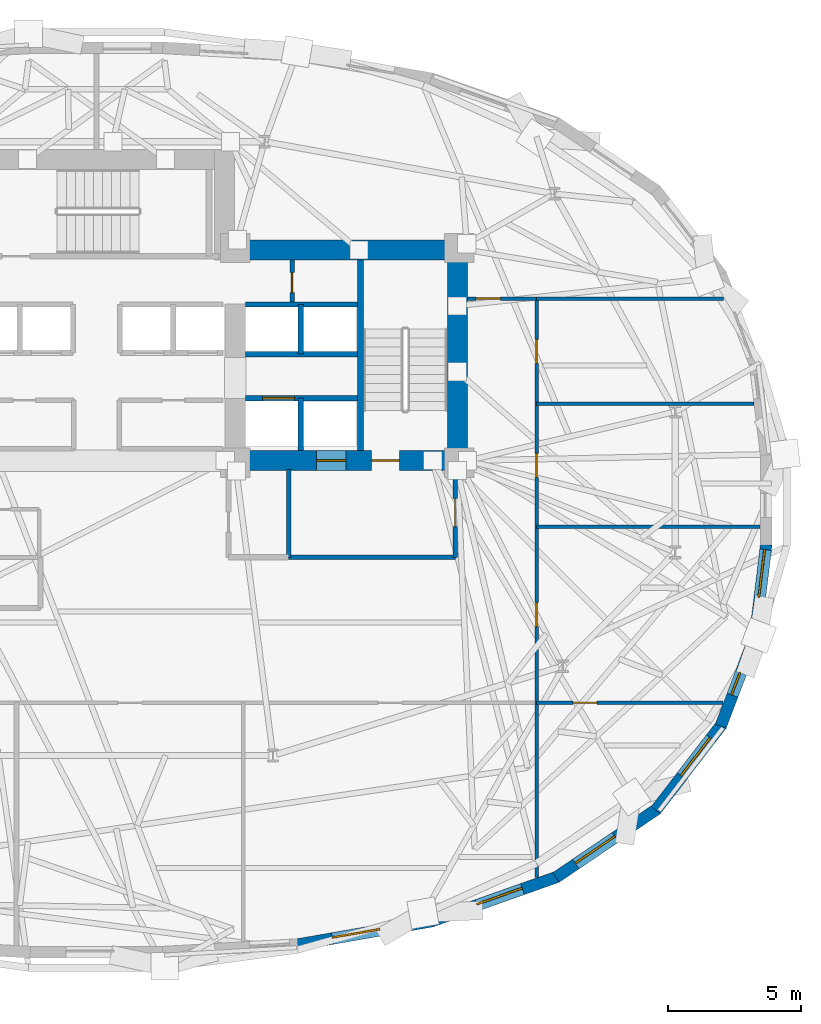
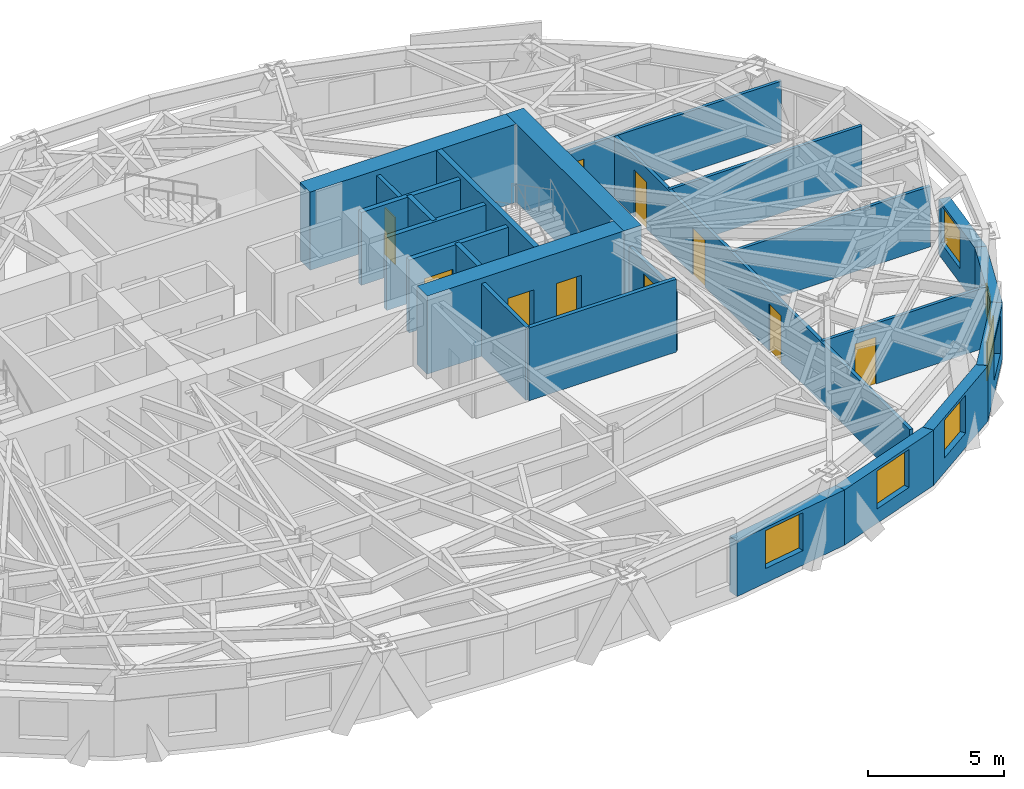
# One storey, part 8 of 13: 25 walls, 10 doors, 6 windows, 16 openings.
"""IFC4 building model written with IfcOpenShell, lengths in metres."""

import ifcopenshell
import ifcopenshell.guid

model = None  # the IFC model being written
_history = None  # IfcOwnerHistory: only IFC2X3 demands one
_inside = {}  # id of a spatial element -> (the spatial element, [elements in it])
_under = {}  # id of a project, library or spatial element -> (it, [spatial elements below it])
_declared = {}  # id of a project -> (the project, [libraries it declares])
_typed = {}  # id of a type object -> (the type object, [elements of that type])
_made_of = {}  # id of a material, layer set ... -> (it, [elements and type objects made of it])


def new_model(schema):
    """Start an empty IFC model of exactly this schema.

    Asked for "IFC4X3", IfcOpenShell would pick the latest addendum, in which some entities
    have other attributes; the version numbers below select the first issue.
    IFC2X3 requires an IfcOwnerHistory on every rooted entity: one is made here for all.
    """
    global model, _history
    if schema == "IFC4X3":
        model = ifcopenshell.file(schema_version=(4, 3, 0, 0))
    else:
        model = ifcopenshell.file(schema=schema)
    _inside.clear()
    _under.clear()
    _declared.clear()
    _typed.clear()
    _made_of.clear()
    _history = None
    if model.schema == "IFC2X3":
        org = make("IfcOrganization", Name="unknown")
        user = make(
            "IfcPersonAndOrganization",
            ThePerson=make("IfcPerson", FamilyName="unknown"),
            TheOrganization=org,
        )
        app = make(
            "IfcApplication",
            ApplicationDeveloper=org,
            Version="unknown",
            ApplicationFullName="unknown",
            ApplicationIdentifier="unknown",
        )
        _history = make(
            "IfcOwnerHistory",
            OwningUser=user,
            OwningApplication=app,
            ChangeAction="ADDED",
            CreationDate=0,
        )
    return model


def make(cls, **values):
    """One entity of the class cls with the attributes given. An attribute that is None is left unset."""
    return model.create_entity(
        cls, **{name: value for name, value in values.items() if value is not None}
    )


def rooted(cls, **values):
    """An entity with a GlobalId (a new one), such as an element, a storey or a relation."""
    return make(cls, GlobalId=ifcopenshell.guid.new(), OwnerHistory=_history, **values)


def si_unit(unit_type, name, prefix=None):
    """IfcSIUnit, for example si_unit("LENGTHUNIT", "METRE", prefix="MILLI")."""
    return make("IfcSIUnit", UnitType=unit_type, Prefix=prefix, Name=name)


def assignment(units):
    """IfcUnitAssignment: the units of a project."""
    return None if units is None else make("IfcUnitAssignment", Units=units)


def point(xyz):
    """IfcCartesianPoint."""
    return None if xyz is None else make("IfcCartesianPoint", Coordinates=xyz)


def direction(xyz):
    """IfcDirection."""
    return None if xyz is None else make("IfcDirection", DirectionRatios=xyz)


def frame(location, z_axis=None, x_axis=None):
    """IfcAxis2Placement3D, a coordinate frame: its origin and axes. An axis left out is left unset."""
    return make(
        "IfcAxis2Placement3D",
        Location=point(location),
        Axis=direction(z_axis),
        RefDirection=direction(x_axis),
    )


def frame_2d(location, x_axis=None):
    """IfcAxis2Placement2D, a coordinate frame in the plane: its origin and x axis."""
    return make(
        "IfcAxis2Placement2D", Location=point(location), RefDirection=direction(x_axis)
    )


def origin():
    """The frame at (0, 0, 0) with its axes left unset."""
    return frame((0.0, 0.0, 0.0))


def place(relative_to, where):
    """IfcLocalPlacement: puts the frame where relative to a parent placement (None: the world)."""
    return make(
        "IfcLocalPlacement", PlacementRelTo=relative_to, RelativePlacement=where
    )


def context(
    kind, dimensions, precision=None, world=None, true_north=None, identifier=None
):
    """IfcGeometricRepresentationContext, for example the 3D "Model" context."""
    return make(
        "IfcGeometricRepresentationContext",
        ContextIdentifier=identifier,
        ContextType=kind,
        CoordinateSpaceDimension=dimensions,
        Precision=precision,
        WorldCoordinateSystem=world,
        TrueNorth=true_north,
    )


def subcontext(parent, identifier, kind, view, scale=None):
    """IfcGeometricRepresentationSubContext, for example "Body" below "Model"."""
    return make(
        "IfcGeometricRepresentationSubContext",
        ContextIdentifier=identifier,
        ContextType=kind,
        ParentContext=parent,
        TargetScale=scale,
        TargetView=view,
    )


def project(units=None, contexts=None):
    """IfcProject with its units and contexts."""
    return rooted(
        "IfcProject",
        Name="project",
        RepresentationContexts=contexts,
        UnitsInContext=assignment(units),
    )


def spatial(cls, under=None, at=None, **own):
    """A site, building, storey or space (cls), placed at a placement, below another one or the project."""
    s = rooted(cls, ObjectPlacement=at, **own)
    if under is not None:
        _under.setdefault(under.id(), (under, []))[1].append(s)
    return s


def profile(cls, at=None, kind="AREA", **sizes):
    """A parametric profile (cls). Its sizes go by their IFC names, for example OverallWidth=200.0."""
    return make(cls, ProfileType=kind, Position=at, **sizes)


def rectangle(**sizes):
    """IfcRectangleProfileDef."""
    return profile("IfcRectangleProfileDef", **sizes)


def extrude(swept, where, along, depth):
    """IfcExtrudedAreaSolid: the profile swept, set in the frame where, extruded along a direction by depth."""
    return make(
        "IfcExtrudedAreaSolid",
        SweptArea=swept,
        Position=where,
        ExtrudedDirection=direction(along),
        Depth=depth,
    )


def shape(context_of_items, identifier, shape_type, items):
    """IfcShapeRepresentation: the items that make up one representation, for example the "Body"."""
    return make(
        "IfcShapeRepresentation",
        ContextOfItems=context_of_items,
        RepresentationIdentifier=identifier,
        RepresentationType=shape_type,
        Items=items,
    )


def material(Name=None, Category=None):
    """IfcMaterial."""
    return make("IfcMaterial", Name=Name, Category=Category)


def layer(
    of_material, thickness, ventilated=None, Name=None, Category=None, Priority=None
):
    """IfcMaterialLayer: one layer of a wall or slab, of a material (None: an air gap)."""
    return make(
        "IfcMaterialLayer",
        Material=of_material,
        LayerThickness=thickness,
        IsVentilated=ventilated,
        Name=Name,
        Category=Category,
        Priority=Priority,
    )


def layer_set(layers, Name=None):
    """IfcMaterialLayerSet."""
    return make("IfcMaterialLayerSet", MaterialLayers=layers, LayerSetName=Name)


def made_of(thing, what):
    """Note that an element or type object is made of a material, layer set ...; save() writes the relation."""
    if what is not None:
        _made_of.setdefault(what.id(), (what, []))[1].append(thing)
    return thing


def type_object(cls, material=None, **own):
    """A type object (cls), such as IfcWallType, which elements share."""
    return made_of(rooted(cls, **own), material)


def element(
    cls,
    number,
    at=None,
    inside=None,
    cuts=None,
    type_object=None,
    material=None,
    context=None,
    identifier="Body",
    shape_type=None,
    held_by="IfcProductDefinitionShape",
    body=None,
    shapes=None,
    **own,
):
    """One element of the class cls, such as IfcWall. Its Tag is "e" and its number.

    at: its placement. inside: the storey or other place that contains it. cuts: it is an
    opening in that element (IfcRelVoidsElement). A single representation is given by context,
    identifier, shape_type and body (its items); several are given by shapes. held_by: the class
    of the entity that holds the representations. save() writes the other relations.
    """
    e = rooted(cls, Tag="e%d" % number, ObjectPlacement=at, **own)
    if body is not None:
        shapes = [shape(context, identifier, shape_type, body)]
    if shapes is not None:
        e.Representation = make(held_by, Representations=shapes)
    if inside is not None:
        _inside.setdefault(inside.id(), (inside, []))[1].append(e)
    if cuts is not None:
        rooted(
            "IfcRelVoidsElement", RelatingBuildingElement=cuts, RelatedOpeningElement=e
        )
    if type_object is not None:
        _typed.setdefault(type_object.id(), (type_object, []))[1].append(e)
    return made_of(e, material)


def fill(opening, filler):
    """IfcRelFillsElement: the door or window that sits in an opening."""
    return rooted(
        "IfcRelFillsElement",
        RelatingOpeningElement=opening,
        RelatedBuildingElement=filler,
    )


def aggregate(whole, parts):
    """IfcRelAggregates: a whole, such as a stair, and the parts it consists of."""
    return rooted("IfcRelAggregates", RelatingObject=whole, RelatedObjects=parts)


def save(model, path):
    """Write the relations noted so far, then the file.

    IfcRelAggregates (storeys below a building ...), IfcRelContainedInSpatialStructure (elements
    in a storey), IfcRelDefinesByType, IfcRelAssociatesMaterial and IfcRelDeclares: one each for
    every whole, place, type object, material and project.
    """
    for whole, parts in _under.values():
        aggregate(whole, parts)
    for where, things in _inside.values():
        rooted(
            "IfcRelContainedInSpatialStructure",
            RelatedElements=things,
            RelatingStructure=where,
        )
    for kind, things in _typed.values():
        rooted("IfcRelDefinesByType", RelatedObjects=things, RelatingType=kind)
    for what, things in _made_of.values():
        rooted("IfcRelAssociatesMaterial", RelatedObjects=things, RelatingMaterial=what)
    for by, libraries in _declared.values():
        rooted("IfcRelDeclares", RelatingContext=by, RelatedDefinitions=libraries)
    model.write(path)


model = new_model("IFC4")

# Units and contexts
model_context = context("Model", 3, precision=1e-05, world=origin(), true_north=direction((0.0, 1.0)))
body_context = subcontext(model_context, "Body", "Model", "MODEL_VIEW")
ifc_project = project(units=[si_unit("LENGTHUNIT", "METRE"), si_unit("AREAUNIT", "SQUARE_METRE"), si_unit("VOLUMEUNIT", "CUBIC_METRE"), si_unit("PLANEANGLEUNIT", "RADIAN"), si_unit("MASSUNIT", "GRAM", prefix="KILO")], contexts=[model_context])

# Site, building, storey
site_placement = place(None, origin())
site = spatial("IfcSite", under=ifc_project, at=site_placement, CompositionType="ELEMENT")
building_placement = place(site_placement, origin())
building = spatial("IfcBuilding", under=site, at=building_placement, Name="Keldmark Tower", CompositionType="ELEMENT")
storey_placement = place(building_placement, frame((0.0, 0.0, 131.60009765625)))
storey = spatial("IfcBuildingStorey", under=building, at=storey_placement, Name="L35", CompositionType="ELEMENT", Elevation=131.60009765625)

# Wall, openings, doors
ifc_material_1 = material(Name="Acoustic Double-Layer Gypsum Corridor Partition", Category="gypsum")
ifc_layer_1 = layer(ifc_material_1, 0.139892578125)
ifc_layer_set_1 = layer_set([ifc_layer_1], Name="Acoustic Double-Layer Gypsum Corridor Partition")
wall_type_1 = type_object("IfcWallType", Name="Acoustic Corridor Partition 140 mm", PredefinedType="PARTITIONING", material=ifc_layer_set_1)
wall_1_placement = place(storey_placement, frame((16.5, -14.159912109375, 0.0), z_axis=(0.0, 0.0, 1.0), x_axis=(0.0, 1.0, 0.0)))
wall_1 = element("IfcWall", 1, at=wall_1_placement, inside=storey, type_object=wall_type_1, Name="L35 Acoustic Corridor Partition 140 mm COR-E", PredefinedType="PARTITIONING", context=body_context, shape_type="SweptSolid", body=[
    extrude(rectangle(XDim=21.7099609375, YDim=0.139892578125, at=frame_2d((10.85498046875, 0.0))), origin(), (0.0, 0.0, 1.0), 2.712890625),
])
opening_1_placement = place(wall_1_placement, frame((9.409912109375, 0.0, 0.0)))
opening_1 = element("IfcOpeningElement", 2, at=opening_1_placement, cuts=wall_1, Name="Opening D-IN090", PredefinedType="OPENING", context=body_context, shape_type="SweptSolid", body=[
    extrude(rectangle(XDim=0.89990234375, YDim=2.10009765625, at=frame_2d((0.449951171875, 1.050048828125))), frame((0.0, 0.079833984375, 0.0), z_axis=(0.0, -1.0, 0.0), x_axis=(1.0, 0.0, 0.0)), (0.0, 0.0, 1.0), 0.159912109375),
])
opening_2_placement = place(wall_1_placement, frame((15.010009765625, 0.0, 0.0)))
opening_2 = element("IfcOpeningElement", 3, at=opening_2_placement, cuts=wall_1, Name="Opening D-IN090", PredefinedType="OPENING", context=body_context, shape_type="SweptSolid", body=[
    extrude(rectangle(XDim=0.89990234375, YDim=2.10009765625, at=frame_2d((0.449951171875, 1.050048828125))), frame((0.0, 0.079833984375, 0.0), z_axis=(0.0, -1.0, 0.0), x_axis=(1.0, 0.0, 0.0)), (0.0, 0.0, 1.0), 0.159912109375),
])
opening_3_placement = place(wall_1_placement, frame((19.284912109375, 0.0, 0.0)))
opening_3 = element("IfcOpeningElement", 4, at=opening_3_placement, cuts=wall_1, Name="Opening D-IN090", PredefinedType="OPENING", context=body_context, shape_type="SweptSolid", body=[
    extrude(rectangle(XDim=0.89990234375, YDim=2.10009765625, at=frame_2d((0.449951171875, 1.050048828125))), frame((0.0, 0.079833984375, 0.0), z_axis=(0.0, -1.0, 0.0), x_axis=(1.0, 0.0, 0.0)), (0.0, 0.0, 1.0), 0.159912109375),
])
ifc_material_2 = material(Name="Stained American White Oak Veneer", Category="wood")
door_type_1 = type_object("IfcDoorType", Name="Interior Door 900x2100", OperationType="NOTDEFINED", PredefinedType="DOOR", material=ifc_material_2)
door_1_placement = place(opening_1_placement, origin())
door_1 = element("IfcDoor", 5, at=door_1_placement, inside=storey, type_object=door_type_1, Name="L35 Interior Door 900x2100 D-ER-1-L35", OperationType="SINGLE_SWING_RIGHT", OverallHeight=2.10009765625, OverallWidth=0.89990234375, PredefinedType="DOOR", context=body_context, shape_type="SweptSolid", body=[
    extrude(rectangle(XDim=0.89990234375, YDim=2.10009765625, at=frame_2d((0.449951171875, 1.050048828125))), frame((0.0, 0.02490234375, 0.0), z_axis=(0.0, -1.0, 0.0), x_axis=(1.0, 0.0, 0.0)), (0.0, 0.0, 1.0), 0.050048828125),
])
fill(opening_1, door_1)
door_2_placement = place(opening_2_placement, origin())
door_2 = element("IfcDoor", 6, at=door_2_placement, inside=storey, type_object=door_type_1, Name="L35 Interior Door 900x2100 D-ER-2-L35", OperationType="SINGLE_SWING_LEFT", OverallHeight=2.10009765625, OverallWidth=0.89990234375, PredefinedType="DOOR", context=body_context, shape_type="SweptSolid", body=[
    extrude(rectangle(XDim=0.89990234375, YDim=2.10009765625, at=frame_2d((0.449951171875, 1.050048828125))), frame((0.0, 0.02490234375, 0.0), z_axis=(0.0, -1.0, 0.0), x_axis=(1.0, 0.0, 0.0)), (0.0, 0.0, 1.0), 0.050048828125),
])
fill(opening_2, door_2)
door_3_placement = place(opening_3_placement, origin())
door_3 = element("IfcDoor", 7, at=door_3_placement, inside=storey, type_object=door_type_1, Name="L35 Interior Door 900x2100 D-ER-3-L35", OperationType="SINGLE_SWING_RIGHT", OverallHeight=2.10009765625, OverallWidth=0.89990234375, PredefinedType="DOOR", context=body_context, shape_type="SweptSolid", body=[
    extrude(rectangle(XDim=0.89990234375, YDim=2.10009765625, at=frame_2d((0.449951171875, 1.050048828125))), frame((0.0, 0.02490234375, 0.0), z_axis=(0.0, -1.0, 0.0), x_axis=(1.0, 0.0, 0.0)), (0.0, 0.0, 1.0), 0.050048828125),
])
fill(opening_3, door_3)

# Wall, opening, door
wall_2_placement = place(storey_placement, frame((13.89990234375, 7.550048828125, 0.0), z_axis=(0.0, 0.0, 1.0), x_axis=(1.0, 0.0, 0.0)))
wall_2 = element("IfcWall", 8, at=wall_2_placement, inside=storey, type_object=wall_type_1, Name="L35 Acoustic Corridor Partition 140 mm COR-EN-CAP", PredefinedType="PARTITIONING", context=body_context, shape_type="SweptSolid", body=[
    extrude(rectangle(XDim=2.60009765625, YDim=0.139892578125, at=frame_2d((1.300048828125, 0.0))), origin(), (0.0, 0.0, 1.0), 2.712890625),
])
opening_4_placement = place(wall_2_placement, frame((0.320068359375, 0.0, 0.0)))
opening_4 = element("IfcOpeningElement", 9, at=opening_4_placement, cuts=wall_2, Name="Opening D-EX092", PredefinedType="OPENING", context=body_context, shape_type="SweptSolid", body=[
    extrude(rectangle(XDim=0.919921875, YDim=2.14990234375, at=frame_2d((0.4599609375, 1.074951171875))), frame((0.0, 0.079833984375, 0.0), z_axis=(0.0, -1.0, 0.0), x_axis=(1.0, 0.0, 0.0)), (0.0, 0.0, 1.0), 0.159912109375),
])
ifc_material_3 = material(Name="Flush American Ash Executive Office Door", Category="wood")
door_type_2 = type_object("IfcDoorType", Name="Executive Office Door 920x2150", OperationType="NOTDEFINED", PredefinedType="DOOR", material=ifc_material_3)
door_4_placement = place(opening_4_placement, origin())
door_4 = element("IfcDoor", 10, at=door_4_placement, inside=storey, type_object=door_type_2, Name="L35 Executive Office Door 920x2150 D-NRNE-L35", OperationType="SINGLE_SWING_RIGHT", OverallHeight=2.14990234375, OverallWidth=0.919921875, PredefinedType="DOOR", context=body_context, shape_type="SweptSolid", body=[
    extrude(rectangle(XDim=0.919921875, YDim=2.14990234375, at=frame_2d((0.4599609375, 1.074951171875))), frame((0.0, 0.02490234375, 0.0), z_axis=(0.0, -1.0, 0.0), x_axis=(1.0, 0.0, 0.0)), (0.0, 0.0, 1.0), 0.050048828125),
])
fill(opening_4, door_4)

# Wall
ifc_material_4 = material(Name="Acoustic Gypsum Board Interior Partition", Category="gypsum")
ifc_layer_2 = layer(ifc_material_4, 0.1298828125)
ifc_layer_set_2 = layer_set([ifc_layer_2], Name="Acoustic Gypsum Board Interior Partition")
wall_type_2 = type_object("IfcWallType", Name="Interior Partition 130 mm", PredefinedType="PARTITIONING", material=ifc_layer_set_2)
wall_3_placement = place(storey_placement, frame((16.5, 7.550048828125, 0.0), z_axis=(0.0, 0.0, 1.0), x_axis=(1.0, 0.0, 0.0)))
element("IfcWall", 11, at=wall_3_placement, inside=storey, type_object=wall_type_2, Name="L35 Interior Partition 130 mm E-CAP-N", PredefinedType="PARTITIONING", context=body_context, shape_type="SweptSolid", body=[
    extrude(rectangle(XDim=7.010986328125, YDim=0.1298828125, at=frame_2d((3.50537109375, 0.0))), origin(), (0.0, 0.0, 1.0), 2.712890625),
])

# Wall, opening, door
wall_4_placement = place(storey_placement, frame((16.5, -7.60009765625, 0.0), z_axis=(0.0, 0.0, 1.0), x_axis=(1.0, 0.0, 0.0)))
wall_4 = element("IfcWall", 12, at=wall_4_placement, inside=storey, type_object=wall_type_2, Name="L35 Interior Partition 130 mm E-CAP-S", PredefinedType="PARTITIONING", context=body_context, shape_type="SweptSolid", body=[
    extrude(rectangle(XDim=6.9921875, YDim=0.1298828125, at=frame_2d((3.49609375, 0.0))), origin(), (0.0, 0.0, 1.0), 2.712890625),
])
opening_5_placement = place(wall_4_placement, frame((1.3701171875, 0.0, 0.0)))
opening_5 = element("IfcOpeningElement", 13, at=opening_5_placement, cuts=wall_4, Name="Opening D-IN090", PredefinedType="OPENING", context=body_context, shape_type="SweptSolid", body=[
    extrude(rectangle(XDim=0.89990234375, YDim=2.10009765625, at=frame_2d((0.449951171875, 1.050048828125))), frame((0.0, 0.074951171875, 0.0), z_axis=(0.0, -1.0, 0.0), x_axis=(1.0, 0.0, 0.0)), (0.0, 0.0, 1.0), 0.14990234375),
])
door_5_placement = place(opening_5_placement, origin())
door_5 = element("IfcDoor", 14, at=door_5_placement, inside=storey, type_object=door_type_1, Name="L35 Interior Door 900x2100 D-ERSE-L35", OperationType="SINGLE_SWING_RIGHT", OverallHeight=2.10009765625, OverallWidth=0.89990234375, PredefinedType="DOOR", context=body_context, shape_type="SweptSolid", body=[
    extrude(rectangle(XDim=0.89990234375, YDim=2.10009765625, at=frame_2d((0.449951171875, 1.050048828125))), frame((0.0, 0.02490234375, 0.0), z_axis=(0.0, -1.0, 0.0), x_axis=(1.0, 0.0, 0.0)), (0.0, 0.0, 1.0), 0.050048828125),
])
fill(opening_5, door_5)

# Walls
wall_5_placement = place(storey_placement, frame((16.5, -1.0, 0.0), z_axis=(0.0, 0.0, 1.0), x_axis=(1.0, 0.0, 0.0)))
element("IfcWall", 15, at=wall_5_placement, inside=storey, type_object=wall_type_2, Name="L35 Interior Partition 130 mm E-DIV-1", PredefinedType="PARTITIONING", context=body_context, shape_type="SweptSolid", body=[
    extrude(rectangle(XDim=8.380126953125, YDim=0.1298828125, at=frame_2d((4.18994140625, 0.0))), origin(), (0.0, 0.0, 1.0), 2.712890625),
])
wall_6_placement = place(storey_placement, frame((16.5, 3.60009765625, 0.0), z_axis=(0.0, 0.0, 1.0), x_axis=(1.0, 0.0, 0.0)))
element("IfcWall", 16, at=wall_6_placement, inside=storey, type_object=wall_type_2, Name="L35 Interior Partition 130 mm E-DIV-2", PredefinedType="PARTITIONING", context=body_context, shape_type="SweptSolid", body=[
    extrude(rectangle(XDim=8.143798828125, YDim=0.1298828125, at=frame_2d((4.07177734375, 0.0))), origin(), (0.0, 0.0, 1.0), 2.712890625),
])
ifc_material_5 = material(Name="Concrete C70/85", Category="concrete")
ifc_layer_3 = layer(ifc_material_5, 0.75)
ifc_layer_set_3 = layer_set([ifc_layer_3], Name="Concrete C70/85")
wall_type_3 = type_object("IfcWallType", Name="Low-Mid Core Shear Wall 750 mm", PredefinedType="SHEAR", material=ifc_layer_set_3)
wall_7_placement = place(storey_placement, frame((13.52490234375, 1.10009765625, 0.0), z_axis=(0.0, 0.0, 1.0), x_axis=(0.0, 1.0, 0.0)))
element("IfcWall", 17, at=wall_7_placement, inside=storey, type_object=wall_type_3, Name="L35 East Core Outer Shear Wall", PredefinedType="SHEAR", context=body_context, shape_type="SweptSolid", body=[
    extrude(rectangle(XDim=8.64990234375, YDim=0.75, at=frame_2d((4.324951171875, 0.0))), origin(), (0.0, 0.0, 1.0), 3.5),
])
wall_8_placement = place(storey_placement, frame((4.425048828125, 9.375, 0.0), z_axis=(0.0, 0.0, 1.0), x_axis=(1.0, 0.0, 0.0)))
element("IfcWall", 18, at=wall_8_placement, inside=storey, type_object=wall_type_3, Name="L35 East Core North Shear Wall", PredefinedType="SHEAR", context=body_context, shape_type="SweptSolid", body=[
    extrude(rectangle(XDim=9.474853515625, YDim=0.75, at=frame_2d((4.7373046875, 0.0))), origin(), (0.0, 0.0, 1.0), 3.5),
])

# Wall, openings, doors
wall_9_placement = place(storey_placement, frame((13.89990234375, 1.47509765625, 0.0), z_axis=(0.0, 0.0, 1.0), x_axis=(-1.0, 0.0, 0.0)))
wall_9 = element("IfcWall", 19, at=wall_9_placement, inside=storey, type_object=wall_type_3, Name="L35 East Core South Shear Wall", PredefinedType="SHEAR", context=body_context, shape_type="SweptSolid", body=[
    extrude(rectangle(XDim=9.074951171875, YDim=0.75, at=frame_2d((4.53759765625, 0.0))), origin(), (0.0, 0.0, 1.0), 3.5),
])
opening_6_placement = place(wall_9_placement, frame((2.550048828125, 0.0, 0.0)))
opening_6 = element("IfcOpeningElement", 20, at=opening_6_placement, cuts=wall_9, Name="Opening D-ST105", PredefinedType="OPENING", context=body_context, shape_type="SweptSolid", body=[
    extrude(rectangle(XDim=1.050048828125, YDim=2.14990234375, at=frame_2d((0.52490234375, 1.074951171875))), frame((0.0, 0.385009765625, 0.0), z_axis=(0.0, -1.0, 0.0), x_axis=(1.0, 0.0, 0.0)), (0.0, 0.0, 1.0), 0.77001953125),
])
opening_7_placement = place(wall_9_placement, frame((4.550048828125, 0.0, 0.0)))
opening_7 = element("IfcOpeningElement", 21, at=opening_7_placement, cuts=wall_9, Name="Opening LD-110", PredefinedType="OPENING", context=body_context, shape_type="SweptSolid", body=[
    extrude(rectangle(XDim=1.10009765625, YDim=2.199951171875, at=frame_2d((0.550048828125, 1.10009765625))), frame((0.0, 0.385009765625, 0.0), z_axis=(0.0, -1.0, 0.0), x_axis=(1.0, 0.0, 0.0)), (0.0, 0.0, 1.0), 0.77001953125),
])
ifc_material_6 = material(Name="Brushed Bronze Hoistway Sliding Leaf", Category="metal")
door_type_3 = type_object("IfcDoorType", Name="Lift Landing Sliding Door 1100x2200", OperationType="SLIDING_TO_LEFT", PredefinedType="DOOR", material=ifc_material_6)
door_6_placement = place(opening_7_placement, origin())
door_6 = element("IfcDoor", 22, at=door_6_placement, inside=storey, type_object=door_type_3, Name="L35 Lift Landing Sliding Door 1100x2200 LD-EL-FS2-L35", OperationType="SLIDING_TO_LEFT", OverallHeight=2.199951171875, OverallWidth=1.10009765625, PredefinedType="DOOR", context=body_context, shape_type="SweptSolid", body=[
    extrude(rectangle(XDim=1.10009765625, YDim=2.199951171875, at=frame_2d((0.550048828125, 1.10009765625))), frame((0.0, 0.02490234375, 0.0), z_axis=(0.0, -1.0, 0.0), x_axis=(1.0, 0.0, 0.0)), (0.0, 0.0, 1.0), 0.050048828125),
])
fill(opening_7, door_6)
ifc_material_7 = material(Name="Hollow Metal Fire-Rated Door Assembly", Category="metal")
door_type_4 = type_object("IfcDoorType", Name="Stair Fire Door 1050x2150", OperationType="NOTDEFINED", PredefinedType="DOOR", material=ifc_material_7)
door_7_placement = place(opening_6_placement, origin())
door_7 = element("IfcDoor", 23, at=door_7_placement, inside=storey, type_object=door_type_4, Name="L35 Stair Fire Door 1050x2150 D-ST2-L35", OperationType="SINGLE_SWING_LEFT", OverallHeight=2.14990234375, OverallWidth=1.050048828125, PredefinedType="DOOR", context=body_context, shape_type="SweptSolid", body=[
    extrude(rectangle(XDim=1.050048828125, YDim=2.14990234375, at=frame_2d((0.52490234375, 1.074951171875))), frame((0.0, 0.02490234375, 0.0), z_axis=(0.0, -1.0, 0.0), x_axis=(1.0, 0.0, 0.0)), (0.0, 0.0, 1.0), 0.050048828125),
])
fill(opening_6, door_7)

# Walls
ifc_material_8 = material(Name="Type X Fire-Rated Gypsum Partition Assembly", Category="gypsum")
ifc_layer_4 = layer(ifc_material_8, 0.1650390625)
ifc_layer_set_4 = layer_set([ifc_layer_4], Name="Type X Fire-Rated Gypsum Partition Assembly")
wall_type_4 = type_object("IfcWallType", Name="Rated Partition 165 mm", PredefinedType="PARTITIONING", material=ifc_layer_set_4)
wall_10_placement = place(storey_placement, frame((7.199951171875, -2.14990234375, 0.0), z_axis=(0.0, 0.0, 1.0), x_axis=(1.0, 0.0, 0.0)))
element("IfcWall", 24, at=wall_10_placement, inside=storey, type_object=wall_type_4, Name="L35 Rated Partition 165 mm FSAE-E-S", PredefinedType="PARTITIONING", context=body_context, shape_type="SweptSolid", body=[
    extrude(rectangle(XDim=6.25, YDim=0.1650390625, at=frame_2d((3.125, 0.0))), origin(), (0.0, 0.0, 1.0), 3.260009765625),
])
wall_11_placement = place(storey_placement, frame((7.199951171875, -2.14990234375, 0.0), z_axis=(0.0, 0.0, 1.0), x_axis=(0.0, 1.0, 0.0)))
element("IfcWall", 25, at=wall_11_placement, inside=storey, type_object=wall_type_4, Name="L35 Rated Partition 165 mm FSAE-E-W", PredefinedType="PARTITIONING", context=body_context, shape_type="SweptSolid", body=[
    extrude(rectangle(XDim=3.2998046875, YDim=0.1650390625, at=frame_2d((1.64990234375, 0.0))), origin(), (0.0, 0.0, 1.0), 3.260009765625),
])

# Wall, opening, door
wall_12_placement = place(storey_placement, frame((13.449951171875, -2.14990234375, 0.0), z_axis=(0.0, 0.0, 1.0), x_axis=(0.0, 1.0, 0.0)))
wall_12 = element("IfcWall", 26, at=wall_12_placement, inside=storey, type_object=wall_type_4, Name="L35 Rated Partition 165 mm FSAE-E-E", PredefinedType="PARTITIONING", context=body_context, shape_type="SweptSolid", body=[
    extrude(rectangle(XDim=3.2998046875, YDim=0.1650390625, at=frame_2d((1.64990234375, 0.0))), origin(), (0.0, 0.0, 1.0), 2.712890625),
])
opening_8_placement = place(wall_12_placement, frame((1.14990234375, 0.0, 0.0)))
opening_8 = element("IfcOpeningElement", 27, at=opening_8_placement, cuts=wall_12, Name="Opening D-FL105", PredefinedType="OPENING", context=body_context, shape_type="SweptSolid", body=[
    extrude(rectangle(XDim=1.050048828125, YDim=2.14990234375, at=frame_2d((0.52490234375, 1.074951171875))), frame((0.0, 0.092529296875, 0.0), z_axis=(0.0, -1.0, 0.0), x_axis=(1.0, 0.0, 0.0)), (0.0, 0.0, 1.0), 0.18505859375),
])
ifc_material_9 = material(Name="Fire-Rated Mineral-Core Door and Vision Lite", Category="metal")
door_type_5 = type_object("IfcDoorType", Name="Fire Lobby Door 1050x2150", OperationType="NOTDEFINED", PredefinedType="DOOR", material=ifc_material_9)
door_8_placement = place(opening_8_placement, origin())
door_8 = element("IfcDoor", 28, at=door_8_placement, inside=storey, type_object=door_type_5, Name="L35 Fire Lobby Door 1050x2150 D-FSAEE-OUT-L35", OperationType="SINGLE_SWING_LEFT", OverallHeight=2.14990234375, OverallWidth=1.050048828125, PredefinedType="DOOR", context=body_context, shape_type="SweptSolid", body=[
    extrude(rectangle(XDim=1.050048828125, YDim=2.14990234375, at=frame_2d((0.52490234375, 1.074951171875))), frame((0.0, 0.02490234375, 0.0), z_axis=(0.0, -1.0, 0.0), x_axis=(1.0, 0.0, 0.0)), (0.0, 0.0, 1.0), 0.050048828125),
])
fill(opening_8, door_8)

wall_13_placement = place(storey_placement, frame((7.330078125, 7.419921875, 0.0), z_axis=(0.0, 0.0, 1.0), x_axis=(0.0, 1.0, 0.0)))
wall_13 = element("IfcWall", 29, at=wall_13_placement, inside=storey, type_object=wall_type_4, Name="L35 Rated Partition 165 mm CS-NE-W", PredefinedType="PARTITIONING", context=body_context, shape_type="SweptSolid", body=[
    extrude(rectangle(XDim=1.580078125, YDim=0.1650390625, at=frame_2d((0.7900390625, 0.0))), origin(), (0.0, 0.0, 1.0), 3.260009765625),
])
opening_9_placement = place(wall_13_placement, frame((0.35009765625, 0.0, 0.0)))
opening_9 = element("IfcOpeningElement", 30, at=opening_9_placement, cuts=wall_13, Name="Opening D-RS075", PredefinedType="OPENING", context=body_context, shape_type="SweptSolid", body=[
    extrude(rectangle(XDim=0.75, YDim=2.10009765625, at=frame_2d((0.375, 1.050048828125))), frame((0.0, 0.092529296875, 0.0), z_axis=(0.0, -1.0, 0.0), x_axis=(1.0, 0.0, 0.0)), (0.0, 0.0, 1.0), 0.18505859375),
])
ifc_material_10 = material(Name="Galvanized Fire-Rated Access Leaf", Category="metal")
door_type_6 = type_object("IfcDoorType", Name="Riser Access Door 750x2100", OperationType="NOTDEFINED", PredefinedType="DOOR", material=ifc_material_10)
door_9_placement = place(opening_9_placement, origin())
door_9 = element("IfcDoor", 31, at=door_9_placement, inside=storey, type_object=door_type_6, Name="L35 Riser Access Door 750x2100 D-CSNE1-L35", OperationType="SINGLE_SWING_LEFT", OverallHeight=2.10009765625, OverallWidth=0.75, PredefinedType="DOOR", context=body_context, shape_type="SweptSolid", body=[
    extrude(rectangle(XDim=0.75, YDim=2.10009765625, at=frame_2d((0.375, 1.050048828125))), frame((0.0, 0.02490234375, 0.0), z_axis=(0.0, -1.0, 0.0), x_axis=(1.0, 0.0, 0.0)), (0.0, 0.0, 1.0), 0.050048828125),
])
fill(opening_9, door_9)

ifc_material_11 = material(Name="Fire-Resistant Type X Gypsum Shaftliner Coreboard", Category="gypsum")
ifc_layer_5 = layer(ifc_material_11, 0.199951171875)
ifc_layer_set_5 = layer_set([ifc_layer_5], Name="Fire-Resistant Type X Gypsum Shaftliner Coreboard")
wall_type_5 = type_object("IfcWallType", Name="Shaft Wall 200 mm", PredefinedType="SOLIDWALL", material=ifc_layer_set_5)
wall_14_placement = place(storey_placement, frame((5.574951171875, 3.820068359375, 0.0), z_axis=(0.0, 0.0, 1.0), x_axis=(1.0, 0.0, 0.0)))
wall_14 = element("IfcWall", 32, at=wall_14_placement, inside=storey, type_object=wall_type_5, Name="L35 Shaft Wall 200 mm HW-E-S", PredefinedType="SOLIDWALL", context=body_context, shape_type="SweptSolid", body=[
    extrude(rectangle(XDim=4.205078125, YDim=0.199951171875, at=frame_2d((2.1025390625, 0.0))), origin(), (0.0, 0.0, 1.0), 3.260009765625),
])
opening_10_placement = place(wall_14_placement, frame((0.64990234375, 0.0, 0.0)))
opening_10 = element("IfcOpeningElement", 33, at=opening_10_placement, cuts=wall_14, Name="Opening LD-120", PredefinedType="OPENING", context=body_context, shape_type="SweptSolid", body=[
    extrude(rectangle(XDim=1.199951171875, YDim=2.199951171875, at=frame_2d((0.60009765625, 1.10009765625))), frame((0.0, 0.10986328125, 0.0), z_axis=(0.0, -1.0, 0.0), x_axis=(1.0, 0.0, 0.0)), (0.0, 0.0, 1.0), 0.219970703125),
])
ifc_material_12 = material(Name="Heavy-Duty Brushed Metal Hoistway Sliding Leaf", Category="metal")
door_type_7 = type_object("IfcDoorType", Name="Service Lift Sliding Door 1200x2200", OperationType="SLIDING_TO_RIGHT", PredefinedType="DOOR", material=ifc_material_12)
door_10_placement = place(opening_10_placement, origin())
door_10 = element("IfcDoor", 34, at=door_10_placement, inside=storey, type_object=door_type_7, Name="L35 Service Lift Sliding Door 1200x2200 LD-EL-SV1-L35", OperationType="SLIDING_TO_RIGHT", OverallHeight=2.199951171875, OverallWidth=1.199951171875, PredefinedType="DOOR", context=body_context, shape_type="SweptSolid", body=[
    extrude(rectangle(XDim=1.199951171875, YDim=2.199951171875, at=frame_2d((0.60009765625, 1.10009765625))), frame((0.0, 0.02490234375, 0.0), z_axis=(0.0, -1.0, 0.0), x_axis=(1.0, 0.0, 0.0)), (0.0, 0.0, 1.0), 0.050048828125),
])
fill(opening_10, door_10)

# Walls
wall_15_placement = place(storey_placement, frame((7.64990234375, 1.85009765625, 0.0), z_axis=(0.0, 0.0, 1.0), x_axis=(0.0, 1.0, 0.0)))
element("IfcWall", 35, at=wall_15_placement, inside=storey, type_object=wall_type_5, Name="L35 Shaft Wall 200 mm HW-E-M", PredefinedType="SOLIDWALL", context=body_context, shape_type="SweptSolid", body=[
    extrude(rectangle(XDim=1.969970703125, YDim=0.199951171875, at=frame_2d((0.98486328125, 0.0))), origin(), (0.0, 0.0, 1.0), 3.260009765625),
])
for number, where, z_axis, x_axis, name in (
    (36, (5.574951171875, 5.469970703125, 0.0), (0.0, 0.0, 1.0), (1.0, 0.0, 0.0), "L35 Shaft Wall 200 mm HW-E-N"),
    (37, (5.574951171875, 7.330078125, 0.0), (0.0, 0.0, 1.0), (1.0, 0.0, 0.0), "L35 Shaft Wall 200 mm HW-E-TOP"),
):
    element("IfcWall", number, at=place(storey_placement, frame(where, z_axis=z_axis, x_axis=x_axis)), inside=storey, type_object=wall_type_5, Name=name, PredefinedType="SOLIDWALL", context=body_context, shape_type="SweptSolid", body=[
        extrude(rectangle(XDim=4.205078125, YDim=0.199951171875, at=frame_2d((2.1025390625, 0.0))), origin(), (0.0, 0.0, 1.0), 3.260009765625),
    ])
wall_16_placement = place(storey_placement, frame((7.64990234375, 5.469970703125, 0.0), z_axis=(0.0, 0.0, 1.0), x_axis=(0.0, 1.0, 0.0)))
element("IfcWall", 38, at=wall_16_placement, inside=storey, type_object=wall_type_5, Name="L35 Shaft Wall 200 mm HW-E-NM", PredefinedType="SOLIDWALL", context=body_context, shape_type="SweptSolid", body=[
    extrude(rectangle(XDim=1.860107421875, YDim=0.199951171875, at=frame_2d((0.93017578125, 0.0))), origin(), (0.0, 0.0, 1.0), 3.260009765625),
])
ifc_material_13 = material(Name="Concrete C50/60", Category="concrete")
ifc_layer_6 = layer(ifc_material_13, 0.219970703125)
ifc_layer_set_6 = layer_set([ifc_layer_6], Name="Concrete C50/60")
wall_type_6 = type_object("IfcWallType", Name="Stair Core Shear Wall 220 mm", PredefinedType="SHEAR", material=ifc_layer_set_6)
wall_17_placement = place(storey_placement, frame((9.889892578125, 1.85009765625, 0.0), z_axis=(0.0, 0.0, 1.0), x_axis=(0.0, 1.0, 0.0)))
element("IfcWall", 39, at=wall_17_placement, inside=storey, type_object=wall_type_6, Name="L35 East Stair Core Shear Wall", PredefinedType="SHEAR", context=body_context, shape_type="SweptSolid", body=[
    extrude(rectangle(XDim=7.14990234375, YDim=0.219970703125, at=frame_2d((3.574951171875, 0.0))), origin(), (0.0, 0.0, 1.0), 3.5),
])

# Wall, opening, window
ifc_material_14 = material(Name="Ironspot Manganese Brick and Kasota Buff Limestone Spandrel Assembly", Category="masonry")
ifc_layer_7 = layer(ifc_material_14, 0.43994140625)
ifc_layer_set_7 = layer_set([ifc_layer_7], Name="Ironspot Manganese Brick and Kasota Buff Limestone Spandrel Assembly")
wall_type_7 = type_object("IfcWallType", Name="Tower Brick Pier and Spandrel Wall 440 mm", PredefinedType="STANDARD", material=ifc_layer_set_7)
wall_18_placement = place(storey_placement, frame((12.58154296875, -15.791015625, 0.0), z_axis=(0.0, 0.0, 1.0), x_axis=(-0.985177916526, -0.171535631254, 0.0)))
wall_18 = element("IfcWall", 40, at=wall_18_placement, inside=storey, type_object=wall_type_7, Name="L35 Exterior Brick and Spandrel Wall 26", PredefinedType="STANDARD", context=body_context, shape_type="SweptSolid", body=[
    extrude(rectangle(XDim=5.139404296875, YDim=0.43994140625, at=frame_2d((2.56982421875, 0.0))), origin(), (0.0, 0.0, 1.0), 2.477783203125),
])
opening_11_placement = place(wall_18_placement, frame((1.993408203125, 0.0, 0.64990234375)))
opening_11 = element("IfcOpeningElement", 41, at=opening_11_placement, cuts=wall_18, Name="Opening W-02", PredefinedType="OPENING", context=body_context, shape_type="SweptSolid", body=[
    extrude(rectangle(XDim=1.800048828125, YDim=1.699951171875, at=frame_2d((0.89990234375, 0.85009765625))), frame((0.0, 0.22998046875, 0.0), z_axis=(0.0, -1.0, 0.0), x_axis=(1.0, 0.0, 0.0)), (0.0, 0.0, 1.0), 0.4599609375),
])
ifc_material_15 = material(Name="Thermally Broken Anodized Aluminum and Triple Low-E Argon Glazing", Category="aluminium")
window_type_1 = type_object("IfcWindowType", Name="Office Deep-Set Triple Window 1800x1700", PartitioningType="TRIPLE_PANEL_VERTICAL", PredefinedType="WINDOW", material=ifc_material_15)
window_1_placement = place(opening_11_placement, origin())
window_1 = element("IfcWindow", 42, at=window_1_placement, inside=storey, type_object=window_type_1, Name="L35 Deep-Set Window 26", OverallHeight=1.699951171875, OverallWidth=1.800048828125, PartitioningType="SINGLE_PANEL", PredefinedType="WINDOW", context=body_context, shape_type="SweptSolid", body=[
    extrude(rectangle(XDim=1.800048828125, YDim=1.699951171875, at=frame_2d((0.89990234375, 0.85009765625))), frame((0.0, -0.010009765625, 0.0), z_axis=(0.0, -1.0, 0.0), x_axis=(1.0, 0.0, 0.0)), (0.0, 0.0, 1.0), 0.06005859375),
])
fill(opening_11, window_1)

wall_19_placement = place(storey_placement, frame((17.27685546875, -14.127197265625, 0.0), z_axis=(0.0, 0.0, 1.0), x_axis=(-0.942780868171, -0.333413009061, 0.0)))
wall_19 = element("IfcWall", 43, at=wall_19_placement, inside=storey, type_object=wall_type_7, Name="L35 Exterior Brick and Spandrel Wall 27", PredefinedType="STANDARD", context=body_context, shape_type="SweptSolid", body=[
    extrude(rectangle(XDim=5.01806640625, YDim=0.43994140625, at=frame_2d((2.509033203125, 0.0))), origin(), (0.0, 0.0, 1.0), 2.477783203125),
])
opening_12_placement = place(wall_19_placement, frame((1.38671875, 0.0, 0.64990234375)))
opening_12 = element("IfcOpeningElement", 44, at=opening_12_placement, cuts=wall_19, Name="Opening W-02", PredefinedType="OPENING", context=body_context, shape_type="SweptSolid", body=[
    extrude(rectangle(XDim=1.800048828125, YDim=1.699951171875, at=frame_2d((0.89990234375, 0.85009765625))), frame((0.0, 0.22998046875, 0.0), z_axis=(0.0, -1.0, 0.0), x_axis=(1.0, 0.0, 0.0)), (0.0, 0.0, 1.0), 0.4599609375),
])
window_2_placement = place(opening_12_placement, origin())
window_2 = element("IfcWindow", 45, at=window_2_placement, inside=storey, type_object=window_type_1, Name="L35 Deep-Set Window 27", OverallHeight=1.699951171875, OverallWidth=1.800048828125, PartitioningType="SINGLE_PANEL", PredefinedType="WINDOW", context=body_context, shape_type="SweptSolid", body=[
    extrude(rectangle(XDim=1.800048828125, YDim=1.699951171875, at=frame_2d((0.89990234375, 0.85009765625))), frame((0.0, -0.010009765625, 0.0), z_axis=(0.0, -1.0, 0.0), x_axis=(1.0, 0.0, 0.0)), (0.0, 0.0, 1.0), 0.06005859375),
])
fill(opening_12, window_2)

wall_20_placement = place(storey_placement, frame((21.017822265625, -11.581787109375, 0.0), z_axis=(0.0, 0.0, 1.0), x_axis=(-0.827670311179, -0.561214625605, 0.0)))
wall_20 = element("IfcWall", 46, at=wall_20_placement, inside=storey, type_object=wall_type_7, Name="L35 Exterior Brick and Spandrel Wall 28", PredefinedType="STANDARD", context=body_context, shape_type="SweptSolid", body=[
    extrude(rectangle(XDim=4.580322265625, YDim=0.43994140625, at=frame_2d((2.2900390625, 0.0))), origin(), (0.0, 0.0, 1.0), 2.48193359375),
])
opening_13_placement = place(wall_20_placement, frame((1.885986328125, 0.0, 0.64990234375)))
opening_13 = element("IfcOpeningElement", 47, at=opening_13_placement, cuts=wall_20, Name="Opening W-02", PredefinedType="OPENING", context=body_context, shape_type="SweptSolid", body=[
    extrude(rectangle(XDim=1.800048828125, YDim=1.699951171875, at=frame_2d((0.89990234375, 0.85009765625))), frame((0.0, 0.22998046875, 0.0), z_axis=(0.0, -1.0, 0.0), x_axis=(1.0, 0.0, 0.0)), (0.0, 0.0, 1.0), 0.4599609375),
])
window_3_placement = place(opening_13_placement, origin())
window_3 = element("IfcWindow", 48, at=window_3_placement, inside=storey, type_object=window_type_1, Name="L35 Deep-Set Window 28", OverallHeight=1.699951171875, OverallWidth=1.800048828125, PartitioningType="SINGLE_PANEL", PredefinedType="WINDOW", context=body_context, shape_type="SweptSolid", body=[
    extrude(rectangle(XDim=1.800048828125, YDim=1.699951171875, at=frame_2d((0.89990234375, 0.85009765625))), frame((0.0, -0.010009765625, 0.0), z_axis=(0.0, -1.0, 0.0), x_axis=(1.0, 0.0, 0.0)), (0.0, 0.0, 1.0), 0.06005859375),
])
fill(opening_13, window_3)

wall_21_placement = place(storey_placement, frame((23.4345703125, -8.422119140625, 0.0), z_axis=(0.0, 0.0, 1.0), x_axis=(-0.60975157382, -0.792592592839, 0.0)))
wall_21 = element("IfcWall", 49, at=wall_21_placement, inside=storey, type_object=wall_type_7, Name="L35 Exterior Brick and Spandrel Wall 29", PredefinedType="STANDARD", context=body_context, shape_type="SweptSolid", body=[
    extrude(rectangle(XDim=4.047119140625, YDim=0.43994140625, at=frame_2d((2.0234375, 0.0))), origin(), (0.0, 0.0, 1.0), 2.48193359375),
])
opening_14_placement = place(wall_21_placement, frame((0.6494140625, 0.0, 0.64990234375)))
opening_14 = element("IfcOpeningElement", 50, at=opening_14_placement, cuts=wall_21, Name="Opening W-02", PredefinedType="OPENING", context=body_context, shape_type="SweptSolid", body=[
    extrude(rectangle(XDim=1.800048828125, YDim=1.699951171875, at=frame_2d((0.89990234375, 0.85009765625))), frame((0.0, 0.22998046875, 0.0), z_axis=(0.0, -1.0, 0.0), x_axis=(1.0, 0.0, 0.0)), (0.0, 0.0, 1.0), 0.4599609375),
])
window_4_placement = place(opening_14_placement, origin())
window_4 = element("IfcWindow", 51, at=window_4_placement, inside=storey, type_object=window_type_1, Name="L35 Deep-Set Window 29", OverallHeight=1.699951171875, OverallWidth=1.800048828125, PartitioningType="SINGLE_PANEL", PredefinedType="WINDOW", context=body_context, shape_type="SweptSolid", body=[
    extrude(rectangle(XDim=1.800048828125, YDim=1.699951171875, at=frame_2d((0.89990234375, 0.85009765625))), frame((0.0, -0.010009765625, 0.0), z_axis=(0.0, -1.0, 0.0), x_axis=(1.0, 0.0, 0.0)), (0.0, 0.0, 1.0), 0.06005859375),
])
fill(opening_14, window_4)

wall_22_placement = place(storey_placement, frame((24.70361328125, -5.04541015625, 0.0), z_axis=(0.0, 0.0, 1.0), x_axis=(-0.354219131363, -0.935162449511, 0.0)))
wall_22 = element("IfcWall", 52, at=wall_22_placement, inside=storey, type_object=wall_type_7, Name="L35 Exterior Brick and Spandrel Wall 30", PredefinedType="STANDARD", context=body_context, shape_type="SweptSolid", body=[
    extrude(rectangle(XDim=3.6708984375, YDim=0.43994140625, at=frame_2d((1.83544921875, 0.0))), origin(), (0.0, 0.0, 1.0), 2.477783203125),
])
opening_15_placement = place(wall_22_placement, frame((1.53369140625, 0.0, 0.580078125)))
opening_15 = element("IfcOpeningElement", 53, at=opening_15_placement, cuts=wall_22, Name="Opening W-09", PredefinedType="OPENING", context=body_context, shape_type="SweptSolid", body=[
    extrude(rectangle(XDim=0.89990234375, YDim=1.35009765625, at=frame_2d((0.449951171875, 0.675048828125))), frame((0.0, 0.22998046875, 0.0), z_axis=(0.0, -1.0, 0.0), x_axis=(1.0, 0.0, 0.0)), (0.0, 0.0, 1.0), 0.4599609375),
])
ifc_material_16 = material(Name="Thermally Broken Anodized Aluminum and Triple Low-E Argon Glazing", Category="aluminium")
window_type_2 = type_object("IfcWindowType", Name="Corner Pier Deep-Set Window 900x1350", PartitioningType="SINGLE_PANEL", PredefinedType="WINDOW", material=ifc_material_16)
window_5_placement = place(opening_15_placement, origin())
window_5 = element("IfcWindow", 54, at=window_5_placement, inside=storey, type_object=window_type_2, Name="L35 Deep-Set Window 30", OverallHeight=1.35009765625, OverallWidth=0.89990234375, PartitioningType="SINGLE_PANEL", PredefinedType="WINDOW", context=body_context, shape_type="SweptSolid", body=[
    extrude(rectangle(XDim=0.89990234375, YDim=1.35009765625, at=frame_2d((0.449951171875, 0.675048828125))), frame((0.0, -0.010009765625, 0.0), z_axis=(0.0, -1.0, 0.0), x_axis=(1.0, 0.0, 0.0)), (0.0, 0.0, 1.0), 0.06005859375),
])
fill(opening_15, window_5)

wall_23_placement = place(storey_placement, frame((25.109619140625, -1.664794921875, 0.0), z_axis=(0.0, 0.0, 1.0), x_axis=(-0.121105287727, -0.992639667394, 0.0)))
wall_23 = element("IfcWall", 55, at=wall_23_placement, inside=storey, type_object=wall_type_7, Name="L35 Exterior Brick and Spandrel Wall 31", PredefinedType="STANDARD", context=body_context, shape_type="SweptSolid", body=[
    extrude(rectangle(XDim=3.457275390625, YDim=0.43994140625, at=frame_2d((1.728515625, 0.0))), origin(), (0.0, 0.0, 1.0), 2.477783203125),
])
opening_16_placement = place(wall_23_placement, frame((0.199951171875, 0.0, 0.64990234375)))
opening_16 = element("IfcOpeningElement", 56, at=opening_16_placement, cuts=wall_23, Name="Opening W-02", PredefinedType="OPENING", context=body_context, shape_type="SweptSolid", body=[
    extrude(rectangle(XDim=1.800048828125, YDim=1.699951171875, at=frame_2d((0.89990234375, 0.85009765625))), frame((0.0, 0.22998046875, 0.0), z_axis=(0.0, -1.0, 0.0), x_axis=(1.0, 0.0, 0.0)), (0.0, 0.0, 1.0), 0.4599609375),
])
window_6_placement = place(opening_16_placement, origin())
window_6 = element("IfcWindow", 57, at=window_6_placement, inside=storey, type_object=window_type_1, Name="L35 Deep-Set Window 31", OverallHeight=1.699951171875, OverallWidth=1.800048828125, PartitioningType="SINGLE_PANEL", PredefinedType="WINDOW", context=body_context, shape_type="SweptSolid", body=[
    extrude(rectangle(XDim=1.800048828125, YDim=1.699951171875, at=frame_2d((0.89990234375, 0.85009765625))), frame((0.0, -0.010009765625, 0.0), z_axis=(0.0, -1.0, 0.0), x_axis=(1.0, 0.0, 0.0)), (0.0, 0.0, 1.0), 0.06005859375),
])
fill(opening_16, window_6)

save(model, "model.ifc")
